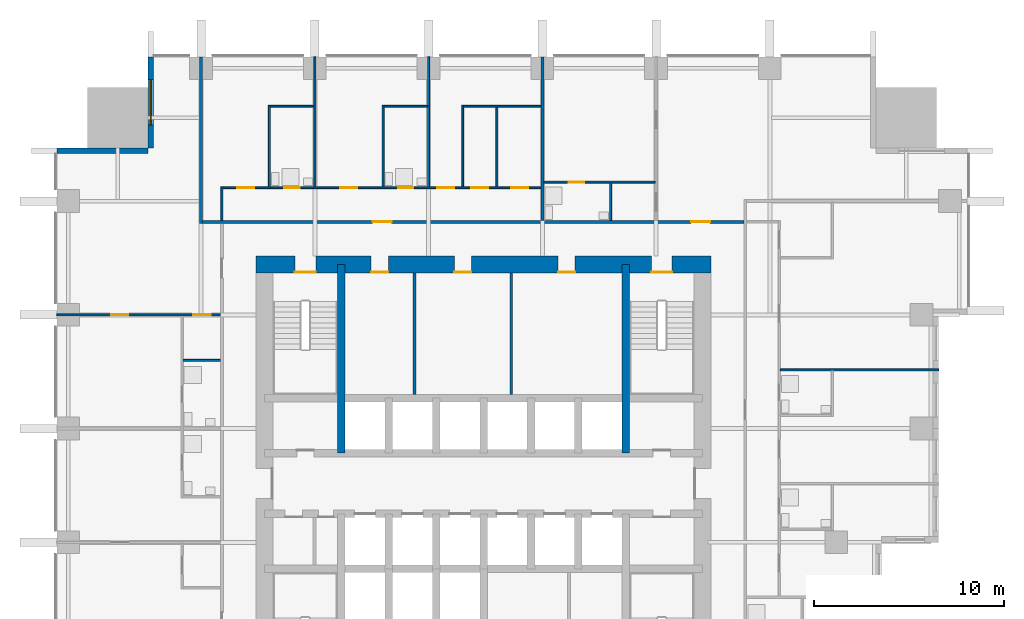
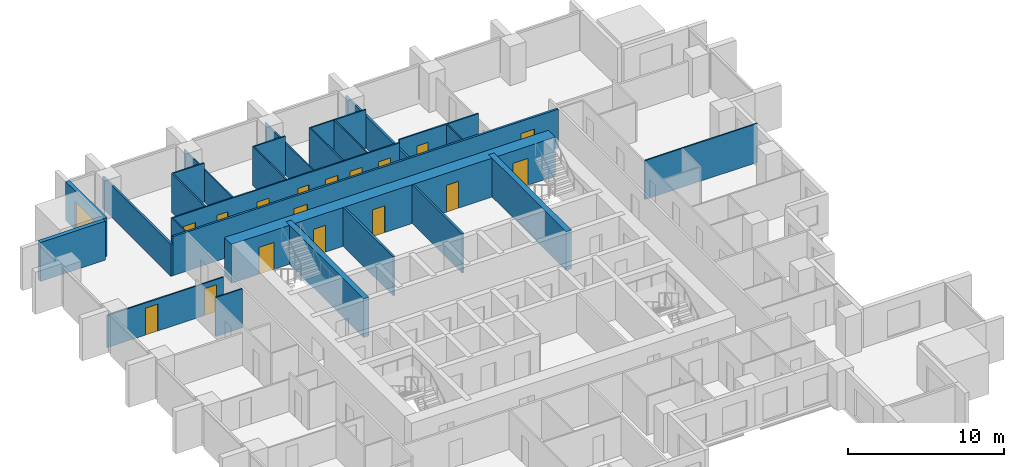
# One storey, part 7 of 10: 26 walls, 17 doors, 1 window, 18 openings.
"""IFC4 building model written with IfcOpenShell, lengths in metres."""

from ifc_helpers import new_model, si_unit, direction, frame, frame_2d, origin, place, context, subcontext, project, spatial, rectangle, extrude, material, layer, layer_set, type_object, element, fill, save


model = new_model("IFC4")

# Units and contexts
model_context = context("Model", 3, precision=1e-05, world=origin(), true_north=direction((0.0, 1.0)))
body_context = subcontext(model_context, "Body", "Model", "MODEL_VIEW")
ifc_project = project(units=[si_unit("LENGTHUNIT", "METRE"), si_unit("AREAUNIT", "SQUARE_METRE"), si_unit("VOLUMEUNIT", "CUBIC_METRE"), si_unit("PLANEANGLEUNIT", "RADIAN"), si_unit("MASSUNIT", "GRAM", prefix="KILO")], contexts=[model_context])

# Site, building, storey
site_placement = place(None, origin())
site = spatial("IfcSite", under=ifc_project, at=site_placement, CompositionType="ELEMENT")
building_placement = place(site_placement, origin())
building = spatial("IfcBuilding", under=site, at=building_placement, Name="Amberfall Residences", CompositionType="ELEMENT")
storey_placement = place(building_placement, frame((0.0, 0.0, 49.89990234375)))
storey = spatial("IfcBuildingStorey", under=building, at=storey_placement, Name="L13", CompositionType="ELEMENT", Elevation=49.89990234375)

# Wall, opening, window
ifc_material_1 = material(Name="Pale stone cladding on insulated backing", Category="masonry")
ifc_layer_1 = layer(ifc_material_1, 0.300048828125)
ifc_layer_set_1 = layer_set([ifc_layer_1], Name="Bronze clad wall 300")
wall_type_1 = type_object("IfcWallType", Name="Bronze clad wall 300", PredefinedType="SOLIDWALL", material=ifc_layer_set_1)
wall_1_placement = place(storey_placement, frame((56.949951171875, 68.0, 0.0), z_axis=(0.0, 0.0, 1.0), x_axis=(0.0, -1.0, 0.0)))
wall_1 = element("IfcWall", 1, at=wall_1_placement, inside=storey, type_object=wall_type_1, Name="External wall L13 NW", PredefinedType="SOLIDWALL", context=body_context, shape_type="SweptSolid", body=[
    extrude(rectangle(XDim=4.800048828125, YDim=0.300048828125, at=frame_2d((2.39990234375, 0.0))), origin(), (0.0, 0.0, 1.0), 3.050048828125),
])
opening_1_placement = place(wall_1_placement, frame((1.199951171875, 0.0, 0.14990234375)))
opening_1 = element("IfcOpeningElement", 2, at=opening_1_placement, cuts=wall_1, Name="Opening WN5", PredefinedType="OPENING", context=body_context, shape_type="SweptSolid", body=[
    extrude(rectangle(XDim=2.39990234375, YDim=2.10009765625, at=frame_2d((1.199951171875, 1.050048828125))), frame((0.0, 0.159912109375, 0.0), z_axis=(0.0, -1.0, 0.0), x_axis=(1.0, 0.0, 0.0)), (0.0, 0.0, 1.0), 0.320068359375),
])
ifc_material_2 = material(Name="Bronze aluminium framed glazing", Category="aluminium")
window_type = type_object("IfcWindowType", Name="Glazed opening 2400 x 2100 bronze", PartitioningType="DOUBLE_PANEL_VERTICAL", PredefinedType="WINDOW", material=ifc_material_2)
window_placement = place(opening_1_placement, origin())
window = element("IfcWindow", 3, at=window_placement, inside=storey, type_object=window_type, Name="Window L13 NW", OverallHeight=2.10009765625, OverallWidth=2.39990234375, PartitioningType="DOUBLE_PANEL_VERTICAL", PredefinedType="WINDOW", context=body_context, shape_type="SweptSolid", body=[
    extrude(rectangle(XDim=2.39990234375, YDim=2.10009765625, at=frame_2d((1.199951171875, 1.050048828125))), frame((0.0, 0.030029296875, 0.0), z_axis=(0.0, -1.0, 0.0), x_axis=(1.0, 0.0, 0.0)), (0.0, 0.0, 1.0), 0.06005859375),
])
fill(opening_1, window)

# Walls
wall_2_placement = place(storey_placement, frame((56.800048828125, 63.050048828125, 0.0), z_axis=(0.0, 0.0, 1.0), x_axis=(-1.0, 0.0, 0.0)))
element("IfcWall", 4, at=wall_2_placement, inside=storey, type_object=wall_type_1, Name="External wall L13 NW", PredefinedType="SOLIDWALL", context=body_context, shape_type="SweptSolid", body=[
    extrude(rectangle(XDim=4.800048828125, YDim=0.300048828125, at=frame_2d((2.39990234375, 0.0))), origin(), (0.0, 0.0, 1.0), 3.050048828125),
])
ifc_material_3 = material(Name="Concrete C80", Category="concrete")
ifc_layer_2 = layer(ifc_material_3, 0.39990234375)
ifc_layer_set_2 = layer_set([ifc_layer_2], Name="Core wall 400 C80")
wall_type_2 = type_object("IfcWallType", Name="Core wall 400 C80", PredefinedType="SHEAR", material=ifc_layer_set_2)
for number, where, z_axis, x_axis, name in (
    (5, (67.0, 47.10009765625, 0.0), (0.0, 0.0, 1.0), (0.0, 1.0, 0.0), "Core wall RW2 L13 V45N"),
    (6, (82.0, 47.10009765625, 0.0), (0.0, 0.0, 1.0), (0.0, 1.0, 0.0), "Core wall RW2 L13 V195N"),
):
    element("IfcWall", number, at=place(storey_placement, frame(where, z_axis=z_axis, x_axis=x_axis)), inside=storey, type_object=wall_type_2, Name=name, PredefinedType="SHEAR", context=body_context, shape_type="SweptSolid", body=[
        extrude(rectangle(XDim=9.949951171875, YDim=0.39990234375, at=frame_2d((4.97509765625, 0.0))), origin(), (0.0, 0.0, 1.0), 3.050048828125),
    ])

# Wall, openings, doors
ifc_layer_3 = layer(ifc_material_3, 0.89990234375)
ifc_layer_set_3 = layer_set([ifc_layer_3], Name="Core wall 900 C80")
wall_type_3 = type_object("IfcWallType", Name="Core wall 900 C80", PredefinedType="SHEAR", material=ifc_layer_set_3)
wall_3_placement = place(storey_placement, frame((62.5, 57.050048828125, 0.0), z_axis=(0.0, 0.0, 1.0), x_axis=(1.0, 0.0, 0.0)))
wall_3 = element("IfcWall", 7, at=wall_3_placement, inside=storey, type_object=wall_type_3, Name="Core wall RW1 L13 ON", PredefinedType="SHEAR", context=body_context, shape_type="SweptSolid", body=[
    extrude(rectangle(XDim=24.0, YDim=0.89990234375, at=frame_2d((12.0, 0.0))), origin(), (0.0, 0.0, 1.0), 3.050048828125),
])
opening_2_placement = place(wall_3_placement, frame((20.85009765625, 0.0, 0.0)))
opening_2 = element("IfcOpeningElement", 8, at=opening_2_placement, cuts=wall_3, Name="Opening SD1", PredefinedType="OPENING", context=body_context, shape_type="SweptSolid", body=[
    extrude(rectangle(XDim=1.10009765625, YDim=2.10009765625, at=frame_2d((0.550048828125, 1.050048828125))), frame((0.0, 0.4599609375, 0.0), z_axis=(0.0, -1.0, 0.0), x_axis=(1.0, 0.0, 0.0)), (0.0, 0.0, 1.0), 0.919921875),
])
opening_3_placement = place(wall_3_placement, frame((2.050048828125, 0.0, 0.0)))
opening_3 = element("IfcOpeningElement", 9, at=opening_3_placement, cuts=wall_3, Name="Opening SD1", PredefinedType="OPENING", context=body_context, shape_type="SweptSolid", body=[
    extrude(rectangle(XDim=1.10009765625, YDim=2.10009765625, at=frame_2d((0.550048828125, 1.050048828125))), frame((0.0, 0.4599609375, 0.0), z_axis=(0.0, -1.0, 0.0), x_axis=(1.0, 0.0, 0.0)), (0.0, 0.0, 1.0), 0.919921875),
])
opening_4_placement = place(wall_3_placement, frame((6.074951171875, 0.0, 0.0)))
opening_4 = element("IfcOpeningElement", 10, at=opening_4_placement, cuts=wall_3, Name="Opening RD1", PredefinedType="OPENING", context=body_context, shape_type="SweptSolid", body=[
    extrude(rectangle(XDim=0.89990234375, YDim=2.10009765625, at=frame_2d((0.449951171875, 1.050048828125))), frame((0.0, 0.4599609375, 0.0), z_axis=(0.0, -1.0, 0.0), x_axis=(1.0, 0.0, 0.0)), (0.0, 0.0, 1.0), 0.919921875),
])
opening_5_placement = place(wall_3_placement, frame((10.455078125, 0.0, 0.0)))
opening_5 = element("IfcOpeningElement", 11, at=opening_5_placement, cuts=wall_3, Name="Opening RD1", PredefinedType="OPENING", context=body_context, shape_type="SweptSolid", body=[
    extrude(rectangle(XDim=0.89990234375, YDim=2.10009765625, at=frame_2d((0.449951171875, 1.050048828125))), frame((0.0, 0.4599609375, 0.0), z_axis=(0.0, -1.0, 0.0), x_axis=(1.0, 0.0, 0.0)), (0.0, 0.0, 1.0), 0.919921875),
])
opening_6_placement = place(wall_3_placement, frame((15.929931640625, 0.0, 0.0)))
opening_6 = element("IfcOpeningElement", 12, at=opening_6_placement, cuts=wall_3, Name="Opening RD1", PredefinedType="OPENING", context=body_context, shape_type="SweptSolid", body=[
    extrude(rectangle(XDim=0.89990234375, YDim=2.10009765625, at=frame_2d((0.449951171875, 1.050048828125))), frame((0.0, 0.4599609375, 0.0), z_axis=(0.0, -1.0, 0.0), x_axis=(1.0, 0.0, 0.0)), (0.0, 0.0, 1.0), 0.919921875),
])
ifc_material_4 = material(Name="Steel fire door set", Category="steel")
door_type_1 = type_object("IfcDoorType", Name="Service room door 900 x 2100", OperationType="SINGLE_SWING_LEFT", PredefinedType="DOOR", material=ifc_material_4)
door_1_placement = place(opening_4_placement, origin())
door_1 = element("IfcDoor", 13, at=door_1_placement, inside=storey, type_object=door_type_1, Name="RD1 L13", OperationType="SINGLE_SWING_RIGHT", OverallHeight=2.10009765625, OverallWidth=0.89990234375, PredefinedType="DOOR", context=body_context, shape_type="SweptSolid", body=[
    extrude(rectangle(XDim=0.89990234375, YDim=2.10009765625, at=frame_2d((0.449951171875, 1.050048828125))), frame((0.0, -0.3876953125, 0.0), z_axis=(0.0, -1.0, 0.0), x_axis=(1.0, 0.0, 0.0)), (0.0, 0.0, 1.0), 0.050048828125),
])
fill(opening_4, door_1)
door_2_placement = place(opening_5_placement, origin())
door_2 = element("IfcDoor", 14, at=door_2_placement, inside=storey, type_object=door_type_1, Name="RD1 L13", OperationType="SINGLE_SWING_RIGHT", OverallHeight=2.10009765625, OverallWidth=0.89990234375, PredefinedType="DOOR", context=body_context, shape_type="SweptSolid", body=[
    extrude(rectangle(XDim=0.89990234375, YDim=2.10009765625, at=frame_2d((0.449951171875, 1.050048828125))), frame((0.0, -0.3876953125, 0.0), z_axis=(0.0, -1.0, 0.0), x_axis=(1.0, 0.0, 0.0)), (0.0, 0.0, 1.0), 0.050048828125),
])
fill(opening_5, door_2)
door_3_placement = place(opening_6_placement, origin())
door_3 = element("IfcDoor", 15, at=door_3_placement, inside=storey, type_object=door_type_1, Name="RD1 L13", OperationType="SINGLE_SWING_RIGHT", OverallHeight=2.10009765625, OverallWidth=0.89990234375, PredefinedType="DOOR", context=body_context, shape_type="SweptSolid", body=[
    extrude(rectangle(XDim=0.89990234375, YDim=2.10009765625, at=frame_2d((0.449951171875, 1.050048828125))), frame((0.0, -0.3876953125, 0.0), z_axis=(0.0, -1.0, 0.0), x_axis=(1.0, 0.0, 0.0)), (0.0, 0.0, 1.0), 0.050048828125),
])
fill(opening_6, door_3)
door_type_2 = type_object("IfcDoorType", Name="Stair door 1100 x 2100", OperationType="SINGLE_SWING_LEFT", PredefinedType="DOOR", material=ifc_material_4)
door_4_placement = place(opening_2_placement, origin())
door_4 = element("IfcDoor", 16, at=door_4_placement, inside=storey, type_object=door_type_2, Name="SD1 L13", OperationType="SINGLE_SWING_RIGHT", OverallHeight=2.10009765625, OverallWidth=1.10009765625, PredefinedType="DOOR", context=body_context, shape_type="SweptSolid", body=[
    extrude(rectangle(XDim=1.10009765625, YDim=2.10009765625, at=frame_2d((0.550048828125, 1.050048828125))), frame((0.0, -0.3876953125, 0.0), z_axis=(0.0, -1.0, 0.0), x_axis=(1.0, 0.0, 0.0)), (0.0, 0.0, 1.0), 0.050048828125),
])
fill(opening_2, door_4)
door_5_placement = place(opening_3_placement, origin())
door_5 = element("IfcDoor", 17, at=door_5_placement, inside=storey, type_object=door_type_2, Name="SD1 L13", OperationType="SINGLE_SWING_LEFT", OverallHeight=2.10009765625, OverallWidth=1.10009765625, PredefinedType="DOOR", context=body_context, shape_type="SweptSolid", body=[
    extrude(rectangle(XDim=1.10009765625, YDim=2.10009765625, at=frame_2d((0.550048828125, 1.050048828125))), frame((0.0, -0.3876953125, 0.0), z_axis=(0.0, -1.0, 0.0), x_axis=(1.0, 0.0, 0.0)), (0.0, 0.0, 1.0), 0.050048828125),
])
fill(opening_3, door_5)

# Walls
ifc_material_5 = material(Name="Gypsum board on metal stud")
ifc_layer_4 = layer(ifc_material_5, 0.10009765625)
ifc_layer_set_4 = layer_set([ifc_layer_4], Name="Flat partition 100")
wall_type_4 = type_object("IfcWallType", Name="Flat partition 100", PredefinedType="PARTITIONING", material=ifc_layer_set_4)
wall_4_placement = place(storey_placement, frame((60.699951171875, 59.375, 0.0), z_axis=(0.0, 0.0, 1.0), x_axis=(0.0, 1.0, 0.0)))
element("IfcWall", 18, at=wall_4_placement, inside=storey, type_object=wall_type_4, Name="Partition 004", PredefinedType="PARTITIONING", context=body_context, shape_type="SweptSolid", body=[
    extrude(rectangle(XDim=1.77490234375, YDim=0.10009765625, at=frame_2d((0.887451171875, 0.0))), origin(), (0.0, 0.0, 1.0), 3.050048828125),
])
wall_5_placement = place(storey_placement, frame((63.199951171875, 61.14990234375, 0.0), z_axis=(0.0, 0.0, 1.0), x_axis=(0.0, 1.0, 0.0)))
element("IfcWall", 19, at=wall_5_placement, inside=storey, type_object=wall_type_4, Name="Partition 005", PredefinedType="PARTITIONING", context=body_context, shape_type="SweptSolid", body=[
    extrude(rectangle(XDim=4.300048828125, YDim=0.10009765625, at=frame_2d((2.14990234375, 0.0))), origin(), (0.0, 0.0, 1.0), 3.050048828125),
])
wall_6_placement = place(storey_placement, frame((65.60009765625, 61.14990234375, 0.0), z_axis=(0.0, 0.0, 1.0), x_axis=(0.0, 1.0, 0.0)))
element("IfcWall", 20, at=wall_6_placement, inside=storey, type_object=wall_type_4, Name="Partition 006", PredefinedType="PARTITIONING", context=body_context, shape_type="SweptSolid", body=[
    extrude(rectangle(XDim=6.85009765625, YDim=0.10009765625, at=frame_2d((3.425048828125, 0.0))), origin(), (0.0, 0.0, 1.0), 2.51611328125),
])
wall_7_placement = place(storey_placement, frame((69.199951171875, 61.14990234375, 0.0), z_axis=(0.0, 0.0, 1.0), x_axis=(0.0, 1.0, 0.0)))
element("IfcWall", 21, at=wall_7_placement, inside=storey, type_object=wall_type_4, Name="Partition 008", PredefinedType="PARTITIONING", context=body_context, shape_type="SweptSolid", body=[
    extrude(rectangle(XDim=4.300048828125, YDim=0.10009765625, at=frame_2d((2.14990234375, 0.0))), origin(), (0.0, 0.0, 1.0), 3.050048828125),
])
wall_8_placement = place(storey_placement, frame((71.60009765625, 61.14990234375, 0.0), z_axis=(0.0, 0.0, 1.0), x_axis=(0.0, 1.0, 0.0)))
element("IfcWall", 22, at=wall_8_placement, inside=storey, type_object=wall_type_4, Name="Partition 010", PredefinedType="PARTITIONING", context=body_context, shape_type="SweptSolid", body=[
    extrude(rectangle(XDim=6.85009765625, YDim=0.10009765625, at=frame_2d((3.425048828125, 0.0))), origin(), (0.0, 0.0, 1.0), 2.51611328125),
])
wall_9_placement = place(storey_placement, frame((73.39990234375, 61.14990234375, 0.0), z_axis=(0.0, 0.0, 1.0), x_axis=(0.0, 1.0, 0.0)))
element("IfcWall", 23, at=wall_9_placement, inside=storey, type_object=wall_type_4, Name="Partition 011", PredefinedType="PARTITIONING", context=body_context, shape_type="SweptSolid", body=[
    extrude(rectangle(XDim=4.300048828125, YDim=0.10009765625, at=frame_2d((2.14990234375, 0.0))), origin(), (0.0, 0.0, 1.0), 3.050048828125),
])
wall_10_placement = place(storey_placement, frame((75.199951171875, 61.14990234375, 0.0), z_axis=(0.0, 0.0, 1.0), x_axis=(0.0, 1.0, 0.0)))
element("IfcWall", 24, at=wall_10_placement, inside=storey, type_object=wall_type_4, Name="Partition 012", PredefinedType="PARTITIONING", context=body_context, shape_type="SweptSolid", body=[
    extrude(rectangle(XDim=4.2001953125, YDim=0.10009765625, at=frame_2d((2.10009765625, 0.0))), origin(), (0.0, 0.0, 1.0), 3.050048828125),
])
wall_11_placement = place(storey_placement, frame((81.199951171875, 59.375, 0.0), z_axis=(0.0, 0.0, 1.0), x_axis=(0.0, 1.0, 0.0)))
element("IfcWall", 25, at=wall_11_placement, inside=storey, type_object=wall_type_4, Name="Partition 015", PredefinedType="PARTITIONING", context=body_context, shape_type="SweptSolid", body=[
    extrude(rectangle(XDim=1.97509765625, YDim=0.10009765625, at=frame_2d((0.987548828125, 0.0))), origin(), (0.0, 0.0, 1.0), 3.050048828125),
])
for number, where, z_axis, x_axis, name in (
    (26, (63.25, 65.39990234375, 0.0), (0.0, 0.0, 1.0), (1.0, 0.0, 0.0), "Partition 024"),
    (27, (69.25, 65.39990234375, 0.0), (0.0, 0.0, 1.0), (1.0, 0.0, 0.0), "Partition 025"),
):
    element("IfcWall", number, at=place(storey_placement, frame(where, z_axis=z_axis, x_axis=x_axis)), inside=storey, type_object=wall_type_4, Name=name, PredefinedType="PARTITIONING", context=body_context, shape_type="SweptSolid", body=[
        extrude(rectangle(XDim=2.300048828125, YDim=0.10009765625, at=frame_2d((1.14990234375, 0.0))), origin(), (0.0, 0.0, 1.0), 3.050048828125),
    ])
wall_12_placement = place(storey_placement, frame((73.449951171875, 65.39990234375, 0.0), z_axis=(0.0, 0.0, 1.0), x_axis=(1.0, 0.0, 0.0)))
element("IfcWall", 28, at=wall_12_placement, inside=storey, type_object=wall_type_4, Name="Partition 026", PredefinedType="PARTITIONING", context=body_context, shape_type="SweptSolid", body=[
    extrude(rectangle(XDim=4.074951171875, YDim=0.10009765625, at=frame_2d((2.03759765625, 0.0))), origin(), (0.0, 0.0, 1.0), 3.050048828125),
])

# Wall, opening, door
wall_13_placement = place(storey_placement, frame((83.550048828125, 61.39990234375, 0.0), z_axis=(0.0, 0.0, 1.0), x_axis=(-1.0, 0.0, 0.0)))
wall_13 = element("IfcWall", 29, at=wall_13_placement, inside=storey, type_object=wall_type_4, Name="Partition 027", PredefinedType="PARTITIONING", context=body_context, shape_type="SweptSolid", body=[
    extrude(rectangle(XDim=5.875, YDim=0.10009765625, at=frame_2d((2.9375, 0.0))), origin(), (0.0, 0.0, 1.0), 3.050048828125),
])
opening_7_placement = place(wall_13_placement, frame((3.75, 0.0, 0.0)))
opening_7 = element("IfcOpeningElement", 30, at=opening_7_placement, cuts=wall_13, Name="Opening D42", PredefinedType="OPENING", context=body_context, shape_type="SweptSolid", body=[
    extrude(rectangle(XDim=0.800048828125, YDim=2.10009765625, at=frame_2d((0.39990234375, 1.050048828125))), frame((0.0, 0.06005859375, 0.0), z_axis=(0.0, -1.0, 0.0), x_axis=(1.0, 0.0, 0.0)), (0.0, 0.0, 1.0), 0.1201171875),
])
ifc_material_6 = material(Name="Timber", Category="wood")
door_type_3 = type_object("IfcDoorType", Name="Bathroom door 800 x 2100", OperationType="SINGLE_SWING_LEFT", PredefinedType="DOOR", material=ifc_material_6)
door_6_placement = place(opening_7_placement, origin())
door_6 = element("IfcDoor", 31, at=door_6_placement, inside=storey, type_object=door_type_3, Name="Door 1306 bath1", OperationType="SINGLE_SWING_LEFT", OverallHeight=2.10009765625, OverallWidth=0.800048828125, PredefinedType="DOOR", context=body_context, shape_type="SweptSolid", body=[
    extrude(rectangle(XDim=0.800048828125, YDim=2.10009765625, at=frame_2d((0.39990234375, 1.050048828125))), frame((0.0, 0.02490234375, 0.0), z_axis=(0.0, -1.0, 0.0), x_axis=(1.0, 0.0, 0.0)), (0.0, 0.0, 1.0), 0.050048828125),
])
fill(opening_7, door_6)

# Wall, openings, doors
wall_14_placement = place(storey_placement, frame((60.75, 61.10009765625, 0.0), z_axis=(0.0, 0.0, 1.0), x_axis=(1.0, 0.0, 0.0)))
wall_14 = element("IfcWall", 32, at=wall_14_placement, inside=storey, type_object=wall_type_4, Name="Partition 028", PredefinedType="PARTITIONING", context=body_context, shape_type="SweptSolid", body=[
    extrude(rectangle(XDim=16.77490234375, YDim=0.10009765625, at=frame_2d((8.387451171875, 0.0))), origin(), (0.0, 0.0, 1.0), 3.050048828125),
])
opening_8_placement = place(wall_14_placement, frame((11.300048828125, 0.0, 0.0)))
opening_8 = element("IfcOpeningElement", 33, at=opening_8_placement, cuts=wall_14, Name="Opening D41", PredefinedType="OPENING", context=body_context, shape_type="SweptSolid", body=[
    extrude(rectangle(XDim=0.89990234375, YDim=2.10009765625, at=frame_2d((0.449951171875, 1.050048828125))), frame((0.0, 0.06005859375, 0.0), z_axis=(0.0, -1.0, 0.0), x_axis=(1.0, 0.0, 0.0)), (0.0, 0.0, 1.0), 0.1201171875),
])
opening_9_placement = place(wall_14_placement, frame((15.199951171875, 0.0, 0.0)))
opening_9 = element("IfcOpeningElement", 34, at=opening_9_placement, cuts=wall_14, Name="Opening D41", PredefinedType="OPENING", context=body_context, shape_type="SweptSolid", body=[
    extrude(rectangle(XDim=0.89990234375, YDim=2.10009765625, at=frame_2d((0.449951171875, 1.050048828125))), frame((0.0, 0.06005859375, 0.0), z_axis=(0.0, -1.0, 0.0), x_axis=(1.0, 0.0, 0.0)), (0.0, 0.0, 1.0), 0.1201171875),
])
opening_10_placement = place(wall_14_placement, frame((13.10009765625, 0.0, 0.0)))
opening_10 = element("IfcOpeningElement", 35, at=opening_10_placement, cuts=wall_14, Name="Opening D41", PredefinedType="OPENING", context=body_context, shape_type="SweptSolid", body=[
    extrude(rectangle(XDim=0.89990234375, YDim=2.10009765625, at=frame_2d((0.449951171875, 1.050048828125))), frame((0.0, 0.06005859375, 0.0), z_axis=(0.0, -1.0, 0.0), x_axis=(1.0, 0.0, 0.0)), (0.0, 0.0, 1.0), 0.1201171875),
])
opening_11_placement = place(wall_14_placement, frame((0.75, 0.0, 0.0)))
opening_11 = element("IfcOpeningElement", 36, at=opening_11_placement, cuts=wall_14, Name="Opening D41", PredefinedType="OPENING", context=body_context, shape_type="SweptSolid", body=[
    extrude(rectangle(XDim=0.89990234375, YDim=2.10009765625, at=frame_2d((0.449951171875, 1.050048828125))), frame((0.0, 0.06005859375, 0.0), z_axis=(0.0, -1.0, 0.0), x_axis=(1.0, 0.0, 0.0)), (0.0, 0.0, 1.0), 0.1201171875),
])
opening_12_placement = place(wall_14_placement, frame((6.199951171875, 0.0, 0.0)))
opening_12 = element("IfcOpeningElement", 37, at=opening_12_placement, cuts=wall_14, Name="Opening D41", PredefinedType="OPENING", context=body_context, shape_type="SweptSolid", body=[
    extrude(rectangle(XDim=0.89990234375, YDim=2.10009765625, at=frame_2d((0.449951171875, 1.050048828125))), frame((0.0, 0.06005859375, 0.0), z_axis=(0.0, -1.0, 0.0), x_axis=(1.0, 0.0, 0.0)), (0.0, 0.0, 1.0), 0.1201171875),
])
opening_13_placement = place(wall_14_placement, frame((3.25, 0.0, 0.0)))
opening_13 = element("IfcOpeningElement", 38, at=opening_13_placement, cuts=wall_14, Name="Opening D42", PredefinedType="OPENING", context=body_context, shape_type="SweptSolid", body=[
    extrude(rectangle(XDim=0.800048828125, YDim=2.10009765625, at=frame_2d((0.39990234375, 1.050048828125))), frame((0.0, 0.06005859375, 0.0), z_axis=(0.0, -1.0, 0.0), x_axis=(1.0, 0.0, 0.0)), (0.0, 0.0, 1.0), 0.1201171875),
])
opening_14_placement = place(wall_14_placement, frame((9.25, 0.0, 0.0)))
opening_14 = element("IfcOpeningElement", 39, at=opening_14_placement, cuts=wall_14, Name="Opening D42", PredefinedType="OPENING", context=body_context, shape_type="SweptSolid", body=[
    extrude(rectangle(XDim=0.800048828125, YDim=2.10009765625, at=frame_2d((0.39990234375, 1.050048828125))), frame((0.0, 0.06005859375, 0.0), z_axis=(0.0, -1.0, 0.0), x_axis=(1.0, 0.0, 0.0)), (0.0, 0.0, 1.0), 0.1201171875),
])
door_7_placement = place(opening_13_placement, origin())
door_7 = element("IfcDoor", 40, at=door_7_placement, inside=storey, type_object=door_type_3, Name="Door 1305 bath1", OperationType="SINGLE_SWING_LEFT", OverallHeight=2.10009765625, OverallWidth=0.800048828125, PredefinedType="DOOR", context=body_context, shape_type="SweptSolid", body=[
    extrude(rectangle(XDim=0.800048828125, YDim=2.10009765625, at=frame_2d((0.39990234375, 1.050048828125))), frame((0.0, 0.02490234375, 0.0), z_axis=(0.0, -1.0, 0.0), x_axis=(1.0, 0.0, 0.0)), (0.0, 0.0, 1.0), 0.050048828125),
])
fill(opening_13, door_7)
door_8_placement = place(opening_14_placement, origin())
door_8 = element("IfcDoor", 41, at=door_8_placement, inside=storey, type_object=door_type_3, Name="Door 1305 bath2", OperationType="SINGLE_SWING_LEFT", OverallHeight=2.10009765625, OverallWidth=0.800048828125, PredefinedType="DOOR", context=body_context, shape_type="SweptSolid", body=[
    extrude(rectangle(XDim=0.800048828125, YDim=2.10009765625, at=frame_2d((0.39990234375, 1.050048828125))), frame((0.0, 0.02490234375, 0.0), z_axis=(0.0, -1.0, 0.0), x_axis=(1.0, 0.0, 0.0)), (0.0, 0.0, 1.0), 0.050048828125),
])
fill(opening_14, door_8)
door_type_4 = type_object("IfcDoorType", Name="Internal door 900 x 2100", OperationType="SINGLE_SWING_LEFT", PredefinedType="DOOR", material=ifc_material_6)
door_9_placement = place(opening_8_placement, origin())
door_9 = element("IfcDoor", 42, at=door_9_placement, inside=storey, type_object=door_type_4, Name="Door 1305 living", OperationType="SINGLE_SWING_LEFT", OverallHeight=2.10009765625, OverallWidth=0.89990234375, PredefinedType="DOOR", context=body_context, shape_type="SweptSolid", body=[
    extrude(rectangle(XDim=0.89990234375, YDim=2.10009765625, at=frame_2d((0.449951171875, 1.050048828125))), frame((0.0, 0.02490234375, 0.0), z_axis=(0.0, -1.0, 0.0), x_axis=(1.0, 0.0, 0.0)), (0.0, 0.0, 1.0), 0.050048828125),
])
fill(opening_8, door_9)
door_10_placement = place(opening_9_placement, origin())
door_10 = element("IfcDoor", 43, at=door_10_placement, inside=storey, type_object=door_type_4, Name="Door 1305 kitchen", OperationType="SINGLE_SWING_LEFT", OverallHeight=2.10009765625, OverallWidth=0.89990234375, PredefinedType="DOOR", context=body_context, shape_type="SweptSolid", body=[
    extrude(rectangle(XDim=0.89990234375, YDim=2.10009765625, at=frame_2d((0.449951171875, 1.050048828125))), frame((0.0, 0.02490234375, 0.0), z_axis=(0.0, -1.0, 0.0), x_axis=(1.0, 0.0, 0.0)), (0.0, 0.0, 1.0), 0.050048828125),
])
fill(opening_9, door_10)
door_11_placement = place(opening_10_placement, origin())
door_11 = element("IfcDoor", 44, at=door_11_placement, inside=storey, type_object=door_type_4, Name="Door 1305 utility", OperationType="SINGLE_SWING_LEFT", OverallHeight=2.10009765625, OverallWidth=0.89990234375, PredefinedType="DOOR", context=body_context, shape_type="SweptSolid", body=[
    extrude(rectangle(XDim=0.89990234375, YDim=2.10009765625, at=frame_2d((0.449951171875, 1.050048828125))), frame((0.0, 0.02490234375, 0.0), z_axis=(0.0, -1.0, 0.0), x_axis=(1.0, 0.0, 0.0)), (0.0, 0.0, 1.0), 0.050048828125),
])
fill(opening_10, door_11)
door_12_placement = place(opening_11_placement, origin())
door_12 = element("IfcDoor", 45, at=door_12_placement, inside=storey, type_object=door_type_4, Name="Door 1305 bedroom1", OperationType="SINGLE_SWING_LEFT", OverallHeight=2.10009765625, OverallWidth=0.89990234375, PredefinedType="DOOR", context=body_context, shape_type="SweptSolid", body=[
    extrude(rectangle(XDim=0.89990234375, YDim=2.10009765625, at=frame_2d((0.449951171875, 1.050048828125))), frame((0.0, 0.02490234375, 0.0), z_axis=(0.0, -1.0, 0.0), x_axis=(1.0, 0.0, 0.0)), (0.0, 0.0, 1.0), 0.050048828125),
])
fill(opening_11, door_12)
door_13_placement = place(opening_12_placement, origin())
door_13 = element("IfcDoor", 46, at=door_13_placement, inside=storey, type_object=door_type_4, Name="Door 1305 bedroom2", OperationType="SINGLE_SWING_LEFT", OverallHeight=2.10009765625, OverallWidth=0.89990234375, PredefinedType="DOOR", context=body_context, shape_type="SweptSolid", body=[
    extrude(rectangle(XDim=0.89990234375, YDim=2.10009765625, at=frame_2d((0.449951171875, 1.050048828125))), frame((0.0, 0.02490234375, 0.0), z_axis=(0.0, -1.0, 0.0), x_axis=(1.0, 0.0, 0.0)), (0.0, 0.0, 1.0), 0.050048828125),
])
fill(opening_12, door_13)

wall_15_placement = place(storey_placement, frame((60.625, 54.39990234375, 0.0), z_axis=(0.0, 0.0, 1.0), x_axis=(-1.0, 0.0, 0.0)))
wall_15 = element("IfcWall", 47, at=wall_15_placement, inside=storey, type_object=wall_type_4, Name="Partition 031", PredefinedType="PARTITIONING", context=body_context, shape_type="SweptSolid", body=[
    extrude(rectangle(XDim=8.625, YDim=0.10009765625, at=frame_2d((4.3125, 0.0))), origin(), (0.0, 0.0, 1.0), 2.51611328125),
])
opening_15_placement = place(wall_15_placement, frame((0.52490234375, 0.0, 0.0)))
opening_15 = element("IfcOpeningElement", 48, at=opening_15_placement, cuts=wall_15, Name="Opening D41", PredefinedType="OPENING", context=body_context, shape_type="SweptSolid", body=[
    extrude(rectangle(XDim=0.89990234375, YDim=2.10009765625, at=frame_2d((0.449951171875, 1.050048828125))), frame((0.0, 0.06005859375, 0.0), z_axis=(0.0, -1.0, 0.0), x_axis=(1.0, 0.0, 0.0)), (0.0, 0.0, 1.0), 0.1201171875),
])
opening_16_placement = place(wall_15_placement, frame((4.875, 0.0, 0.0)))
opening_16 = element("IfcOpeningElement", 49, at=opening_16_placement, cuts=wall_15, Name="Opening D41", PredefinedType="OPENING", context=body_context, shape_type="SweptSolid", body=[
    extrude(rectangle(XDim=0.89990234375, YDim=2.10009765625, at=frame_2d((0.449951171875, 1.050048828125))), frame((0.0, 0.06005859375, 0.0), z_axis=(0.0, -1.0, 0.0), x_axis=(1.0, 0.0, 0.0)), (0.0, 0.0, 1.0), 0.1201171875),
])
door_14_placement = place(opening_15_placement, origin())
door_14 = element("IfcDoor", 50, at=door_14_placement, inside=storey, type_object=door_type_4, Name="Door 1308 kitchen", OperationType="SINGLE_SWING_LEFT", OverallHeight=2.10009765625, OverallWidth=0.89990234375, PredefinedType="DOOR", context=body_context, shape_type="SweptSolid", body=[
    extrude(rectangle(XDim=0.89990234375, YDim=2.10009765625, at=frame_2d((0.449951171875, 1.050048828125))), frame((0.0, 0.02490234375, 0.0), z_axis=(0.0, -1.0, 0.0), x_axis=(1.0, 0.0, 0.0)), (0.0, 0.0, 1.0), 0.050048828125),
])
fill(opening_15, door_14)
door_15_placement = place(opening_16_placement, origin())
door_15 = element("IfcDoor", 51, at=door_15_placement, inside=storey, type_object=door_type_4, Name="Door 1308 bedroom1", OperationType="SINGLE_SWING_LEFT", OverallHeight=2.10009765625, OverallWidth=0.89990234375, PredefinedType="DOOR", context=body_context, shape_type="SweptSolid", body=[
    extrude(rectangle(XDim=0.89990234375, YDim=2.10009765625, at=frame_2d((0.449951171875, 1.050048828125))), frame((0.0, 0.02490234375, 0.0), z_axis=(0.0, -1.0, 0.0), x_axis=(1.0, 0.0, 0.0)), (0.0, 0.0, 1.0), 0.050048828125),
])
fill(opening_16, door_15)

# Walls
wall_16_placement = place(storey_placement, frame((58.64990234375, 52.0, 0.0), z_axis=(0.0, 0.0, 1.0), x_axis=(1.0, 0.0, 0.0)))
element("IfcWall", 52, at=wall_16_placement, inside=storey, type_object=wall_type_4, Name="Partition 032", PredefinedType="PARTITIONING", context=body_context, shape_type="SweptSolid", body=[
    extrude(rectangle(XDim=1.97509765625, YDim=0.10009765625, at=frame_2d((0.987548828125, 0.0))), origin(), (0.0, 0.0, 1.0), 3.050048828125),
])
wall_17_placement = place(storey_placement, frame((90.14990234375, 51.5, 0.0), z_axis=(0.0, 0.0, 1.0), x_axis=(1.0, 0.0, 0.0)))
element("IfcWall", 53, at=wall_17_placement, inside=storey, type_object=wall_type_4, Name="Partition 033", PredefinedType="PARTITIONING", context=body_context, shape_type="SweptSolid", body=[
    extrude(rectangle(XDim=8.35009765625, YDim=0.10009765625, at=frame_2d((4.175048828125, 0.0))), origin(), (0.0, 0.0, 1.0), 3.050048828125),
])
ifc_material_7 = material(Name="Blockwork, plastered", Category="masonry")
ifc_layer_5 = layer(ifc_material_7, 0.14990234375)
ifc_layer_set_5 = layer_set([ifc_layer_5], Name="Flat separating wall 150")
wall_type_5 = type_object("IfcWallType", Name="Flat separating wall 150", PredefinedType="PARTITIONING", material=ifc_layer_set_5)
wall_18_placement = place(storey_placement, frame((59.60009765625, 59.22509765625, 0.0), z_axis=(0.0, 0.0, 1.0), x_axis=(0.0, 1.0, 0.0)))
element("IfcWall", 54, at=wall_18_placement, inside=storey, type_object=wall_type_5, Name="Separating wall 047", PredefinedType="PARTITIONING", context=body_context, shape_type="SweptSolid", body=[
    extrude(rectangle(XDim=8.77490234375, YDim=0.14990234375, at=frame_2d((4.387451171875, 0.0))), origin(), (0.0, 0.0, 1.0), 2.510009765625),
])
wall_19_placement = place(storey_placement, frame((77.60009765625, 59.375, 0.0), z_axis=(0.0, 0.0, 1.0), x_axis=(0.0, 1.0, 0.0)))
element("IfcWall", 55, at=wall_19_placement, inside=storey, type_object=wall_type_5, Name="Separating wall 050", PredefinedType="PARTITIONING", context=body_context, shape_type="SweptSolid", body=[
    extrude(rectangle(XDim=8.625, YDim=0.14990234375, at=frame_2d((4.3125, 0.0))), origin(), (0.0, 0.0, 1.0), 2.51611328125),
])

# Wall, openings, doors
wall_20_placement = place(storey_placement, frame((59.675048828125, 59.300048828125, 0.0), z_axis=(0.0, 0.0, 1.0), x_axis=(1.0, 0.0, 0.0)))
wall_20 = element("IfcWall", 56, at=wall_20_placement, inside=storey, type_object=wall_type_5, Name="Separating wall 054", PredefinedType="PARTITIONING", context=body_context, shape_type="SweptSolid", body=[
    extrude(rectangle(XDim=28.550048828125, YDim=0.14990234375, at=frame_2d((14.27490234375, 0.0))), origin(), (0.0, 0.0, 1.0), 3.050048828125),
])
opening_17_placement = place(wall_20_placement, frame((8.97509765625, 0.0, 0.0)))
opening_17 = element("IfcOpeningElement", 57, at=opening_17_placement, cuts=wall_20, Name="Opening D40", PredefinedType="OPENING", context=body_context, shape_type="SweptSolid", body=[
    extrude(rectangle(XDim=1.0, YDim=2.10009765625, at=frame_2d((0.5, 1.050048828125))), frame((0.0, 0.0849609375, 0.0), z_axis=(0.0, -1.0, 0.0), x_axis=(1.0, 0.0, 0.0)), (0.0, 0.0, 1.0), 0.169921875),
])
opening_18_placement = place(wall_20_placement, frame((25.77490234375, 0.0, 0.0)))
opening_18 = element("IfcOpeningElement", 58, at=opening_18_placement, cuts=wall_20, Name="Opening D40", PredefinedType="OPENING", context=body_context, shape_type="SweptSolid", body=[
    extrude(rectangle(XDim=1.0, YDim=2.10009765625, at=frame_2d((0.5, 1.050048828125))), frame((0.0, 0.0849609375, 0.0), z_axis=(0.0, -1.0, 0.0), x_axis=(1.0, 0.0, 0.0)), (0.0, 0.0, 1.0), 0.169921875),
])
ifc_material_8 = material(Name="Timber, fire-rated", Category="wood")
door_type_5 = type_object("IfcDoorType", Name="Flat entrance door FD60 1000 x 2100", OperationType="SINGLE_SWING_LEFT", PredefinedType="DOOR", material=ifc_material_8)
door_16_placement = place(opening_17_placement, origin())
door_16 = element("IfcDoor", 59, at=door_16_placement, inside=storey, type_object=door_type_5, Name="Door 1305 entrance", OperationType="SINGLE_SWING_LEFT", OverallHeight=2.10009765625, OverallWidth=1.0, PredefinedType="DOOR", context=body_context, shape_type="SweptSolid", body=[
    extrude(rectangle(XDim=1.0, YDim=2.10009765625, at=frame_2d((0.5, 1.050048828125))), frame((0.0, 0.02490234375, 0.0), z_axis=(0.0, -1.0, 0.0), x_axis=(1.0, 0.0, 0.0)), (0.0, 0.0, 1.0), 0.050048828125),
])
fill(opening_17, door_16)
door_17_placement = place(opening_18_placement, origin())
door_17 = element("IfcDoor", 60, at=door_17_placement, inside=storey, type_object=door_type_5, Name="Door 1306 entrance", OperationType="SINGLE_SWING_LEFT", OverallHeight=2.10009765625, OverallWidth=1.0, PredefinedType="DOOR", context=body_context, shape_type="SweptSolid", body=[
    extrude(rectangle(XDim=1.0, YDim=2.10009765625, at=frame_2d((0.5, 1.050048828125))), frame((0.0, 0.02490234375, 0.0), z_axis=(0.0, -1.0, 0.0), x_axis=(1.0, 0.0, 0.0)), (0.0, 0.0, 1.0), 0.050048828125),
])
fill(opening_18, door_17)

# Walls
ifc_material_9 = material(Name="Concrete blockwork", Category="masonry")
ifc_layer_6 = layer(ifc_material_9, 0.14990234375)
ifc_layer_set_6 = layer_set([ifc_layer_6], Name="Riser wall 150")
wall_type_6 = type_object("IfcWallType", Name="Riser wall 150", PredefinedType="PLUMBINGWALL", material=ifc_layer_set_6)
for number, where, z_axis, x_axis, name in (
    (61, (70.85009765625, 50.199951171875, 0.0), (0.0, 0.0, 1.0), (0.0, 1.0, 0.0), "L13 core wall N0"),
    (62, (75.9599609375, 50.199951171875, 0.0), (0.0, 0.0, 1.0), (0.0, 1.0, 0.0), "L13 core wall N1"),
):
    element("IfcWall", number, at=place(storey_placement, frame(where, z_axis=z_axis, x_axis=x_axis)), inside=storey, type_object=wall_type_6, Name=name, PredefinedType="PLUMBINGWALL", context=body_context, shape_type="SweptSolid", body=[
        extrude(rectangle(XDim=6.400146484375, YDim=0.14990234375, at=frame_2d((3.2001953125, 0.0))), origin(), (0.0, 0.0, 1.0), 3.050048828125),
    ])

save(model, "model.ifc")
